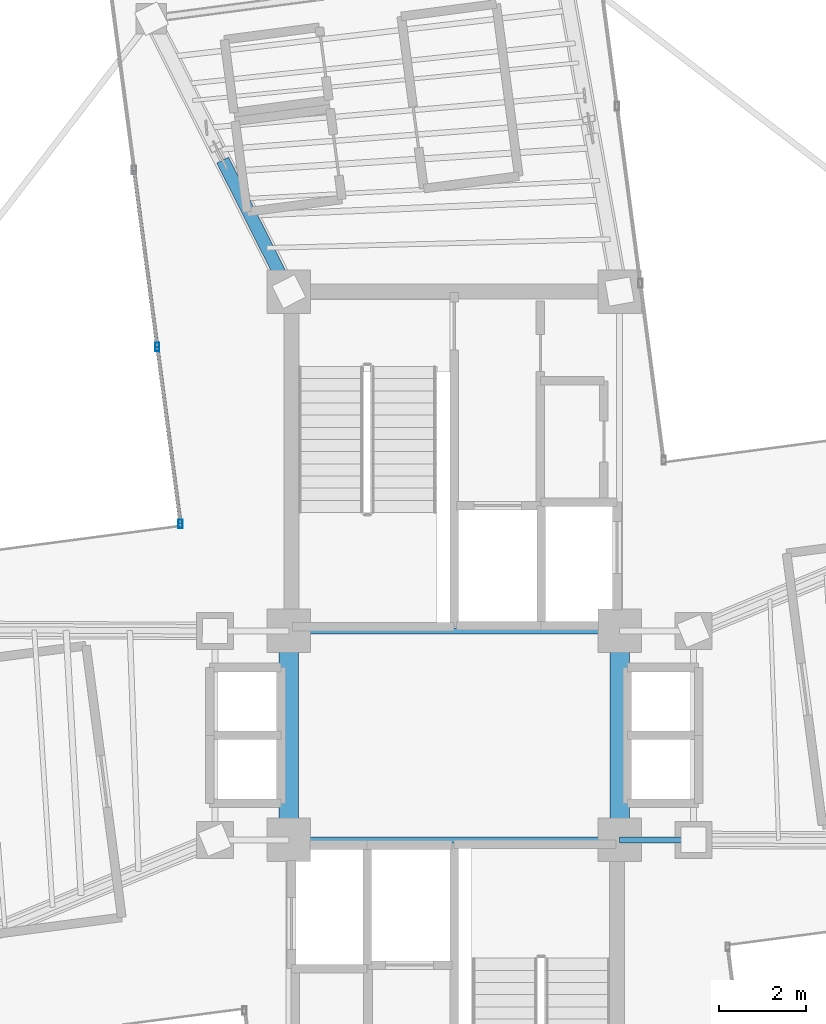
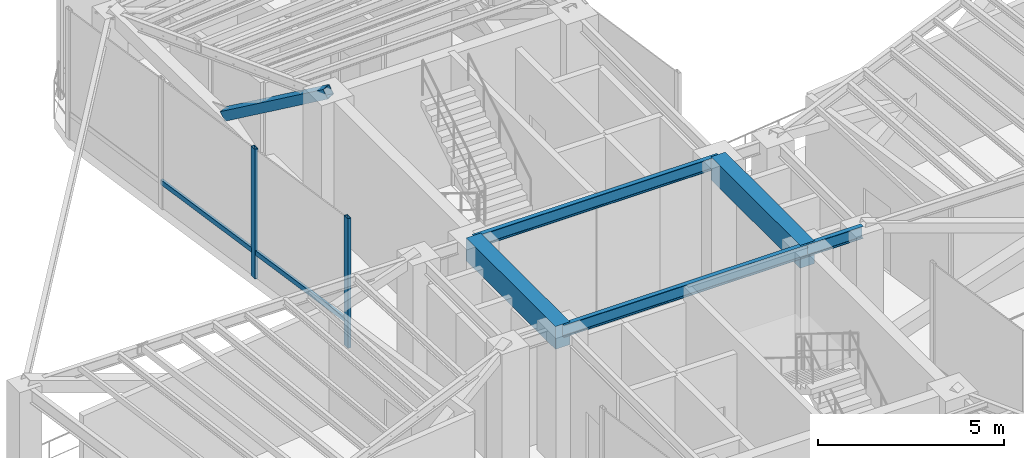
# One storey, part 5 of 17: 5 beams, 5 members, 1 element without a shape of its own.
"""IFC4 building model written with IfcOpenShell, lengths in metres."""

import ifcopenshell
import ifcopenshell.guid

model = None  # the IFC model being written
_history = None  # IfcOwnerHistory: only IFC2X3 demands one
_inside = {}  # id of a spatial element -> (the spatial element, [elements in it])
_under = {}  # id of a project, library or spatial element -> (it, [spatial elements below it])
_declared = {}  # id of a project -> (the project, [libraries it declares])
_typed = {}  # id of a type object -> (the type object, [elements of that type])
_made_of = {}  # id of a material, layer set ... -> (it, [elements and type objects made of it])


def new_model(schema):
    """Start an empty IFC model of exactly this schema.

    Asked for "IFC4X3", IfcOpenShell would pick the latest addendum, in which some entities
    have other attributes; the version numbers below select the first issue.
    IFC2X3 requires an IfcOwnerHistory on every rooted entity: one is made here for all.
    """
    global model, _history
    if schema == "IFC4X3":
        model = ifcopenshell.file(schema_version=(4, 3, 0, 0))
    else:
        model = ifcopenshell.file(schema=schema)
    _inside.clear()
    _under.clear()
    _declared.clear()
    _typed.clear()
    _made_of.clear()
    _history = None
    if model.schema == "IFC2X3":
        org = make("IfcOrganization", Name="unknown")
        user = make(
            "IfcPersonAndOrganization",
            ThePerson=make("IfcPerson", FamilyName="unknown"),
            TheOrganization=org,
        )
        app = make(
            "IfcApplication",
            ApplicationDeveloper=org,
            Version="unknown",
            ApplicationFullName="unknown",
            ApplicationIdentifier="unknown",
        )
        _history = make(
            "IfcOwnerHistory",
            OwningUser=user,
            OwningApplication=app,
            ChangeAction="ADDED",
            CreationDate=0,
        )
    return model


def make(cls, **values):
    """One entity of the class cls with the attributes given. An attribute that is None is left unset."""
    return model.create_entity(
        cls, **{name: value for name, value in values.items() if value is not None}
    )


def rooted(cls, **values):
    """An entity with a GlobalId (a new one), such as an element, a storey or a relation."""
    return make(cls, GlobalId=ifcopenshell.guid.new(), OwnerHistory=_history, **values)


def si_unit(unit_type, name, prefix=None):
    """IfcSIUnit, for example si_unit("LENGTHUNIT", "METRE", prefix="MILLI")."""
    return make("IfcSIUnit", UnitType=unit_type, Prefix=prefix, Name=name)


def assignment(units):
    """IfcUnitAssignment: the units of a project."""
    return None if units is None else make("IfcUnitAssignment", Units=units)


def point(xyz):
    """IfcCartesianPoint."""
    return None if xyz is None else make("IfcCartesianPoint", Coordinates=xyz)


def direction(xyz):
    """IfcDirection."""
    return None if xyz is None else make("IfcDirection", DirectionRatios=xyz)


def frame(location, z_axis=None, x_axis=None):
    """IfcAxis2Placement3D, a coordinate frame: its origin and axes. An axis left out is left unset."""
    return make(
        "IfcAxis2Placement3D",
        Location=point(location),
        Axis=direction(z_axis),
        RefDirection=direction(x_axis),
    )


def frame_2d(location, x_axis=None):
    """IfcAxis2Placement2D, a coordinate frame in the plane: its origin and x axis."""
    return make(
        "IfcAxis2Placement2D", Location=point(location), RefDirection=direction(x_axis)
    )


def origin():
    """The frame at (0, 0, 0) with its axes left unset."""
    return frame((0.0, 0.0, 0.0))


def origin_2d():
    """The frame at (0, 0) in the plane with its x axis left unset."""
    return frame_2d((0.0, 0.0))


def place(relative_to, where):
    """IfcLocalPlacement: puts the frame where relative to a parent placement (None: the world)."""
    return make(
        "IfcLocalPlacement", PlacementRelTo=relative_to, RelativePlacement=where
    )


def context(
    kind, dimensions, precision=None, world=None, true_north=None, identifier=None
):
    """IfcGeometricRepresentationContext, for example the 3D "Model" context."""
    return make(
        "IfcGeometricRepresentationContext",
        ContextIdentifier=identifier,
        ContextType=kind,
        CoordinateSpaceDimension=dimensions,
        Precision=precision,
        WorldCoordinateSystem=world,
        TrueNorth=true_north,
    )


def subcontext(parent, identifier, kind, view, scale=None):
    """IfcGeometricRepresentationSubContext, for example "Body" below "Model"."""
    return make(
        "IfcGeometricRepresentationSubContext",
        ContextIdentifier=identifier,
        ContextType=kind,
        ParentContext=parent,
        TargetScale=scale,
        TargetView=view,
    )


def project(units=None, contexts=None):
    """IfcProject with its units and contexts."""
    return rooted(
        "IfcProject",
        Name="project",
        RepresentationContexts=contexts,
        UnitsInContext=assignment(units),
    )


def spatial(cls, under=None, at=None, **own):
    """A site, building, storey or space (cls), placed at a placement, below another one or the project."""
    s = rooted(cls, ObjectPlacement=at, **own)
    if under is not None:
        _under.setdefault(under.id(), (under, []))[1].append(s)
    return s


def profile(cls, at=None, kind="AREA", **sizes):
    """A parametric profile (cls). Its sizes go by their IFC names, for example OverallWidth=200.0."""
    return make(cls, ProfileType=kind, Position=at, **sizes)


def rectangle(**sizes):
    """IfcRectangleProfileDef."""
    return profile("IfcRectangleProfileDef", **sizes)


def hollow_rectangle(**sizes):
    """IfcRectangleHollowProfileDef."""
    return profile("IfcRectangleHollowProfileDef", **sizes)


def i_section(**sizes):
    """IfcIShapeProfileDef."""
    return profile("IfcIShapeProfileDef", **sizes)


def extrude(swept, where, along, depth):
    """IfcExtrudedAreaSolid: the profile swept, set in the frame where, extruded along a direction by depth."""
    return make(
        "IfcExtrudedAreaSolid",
        SweptArea=swept,
        Position=where,
        ExtrudedDirection=direction(along),
        Depth=depth,
    )


def shape(context_of_items, identifier, shape_type, items):
    """IfcShapeRepresentation: the items that make up one representation, for example the "Body"."""
    return make(
        "IfcShapeRepresentation",
        ContextOfItems=context_of_items,
        RepresentationIdentifier=identifier,
        RepresentationType=shape_type,
        Items=items,
    )


def source(mapping_origin, context_of_items, identifier, shape_type, items):
    """IfcRepresentationMap: a shape defined once, which mapped items show again and again."""
    return make(
        "IfcRepresentationMap",
        MappingOrigin=mapping_origin,
        MappedRepresentation=shape(context_of_items, identifier, shape_type, items),
    )


def transform(
    local_origin,
    x_axis=None,
    y_axis=None,
    z_axis=None,
    scale=None,
    scale2=None,
    scale3=None,
    uniform=True,
):
    """IfcCartesianTransformationOperator3D, or its non-uniform kind. x_axis, y_axis, z_axis: its Axis1, 2, 3."""
    if uniform:
        return make(
            "IfcCartesianTransformationOperator3D",
            Axis1=direction(x_axis),
            Axis2=direction(y_axis),
            LocalOrigin=point(local_origin),
            Scale=scale,
            Axis3=direction(z_axis),
        )
    return make(
        "IfcCartesianTransformationOperator3DnonUniform",
        Axis1=direction(x_axis),
        Axis2=direction(y_axis),
        LocalOrigin=point(local_origin),
        Scale=scale,
        Axis3=direction(z_axis),
        Scale2=scale2,
        Scale3=scale3,
    )


def mapped(mapping_source, mapping_target):
    """IfcMappedItem: shows the shape of a source again, moved by a transform."""
    return make(
        "IfcMappedItem", MappingSource=mapping_source, MappingTarget=mapping_target
    )


def material(Name=None, Category=None):
    """IfcMaterial."""
    return make("IfcMaterial", Name=Name, Category=Category)


def material_profile(
    of_material, cross_section, Name=None, Category=None, Priority=None
):
    """IfcMaterialProfile: a cross section and its material."""
    return make(
        "IfcMaterialProfile",
        Name=Name,
        Material=of_material,
        Profile=cross_section,
        Priority=Priority,
        Category=Category,
    )


def profile_set(profiles, Name=None, composite=None):
    """IfcMaterialProfileSet."""
    return make(
        "IfcMaterialProfileSet",
        Name=Name,
        MaterialProfiles=profiles,
        CompositeProfile=composite,
    )


def made_of(thing, what):
    """Note that an element or type object is made of a material, layer set ...; save() writes the relation."""
    if what is not None:
        _made_of.setdefault(what.id(), (what, []))[1].append(thing)
    return thing


def type_object(cls, material=None, **own):
    """A type object (cls), such as IfcWallType, which elements share."""
    return made_of(rooted(cls, **own), material)


def element(
    cls,
    number,
    at=None,
    inside=None,
    cuts=None,
    type_object=None,
    material=None,
    context=None,
    identifier="Body",
    shape_type=None,
    held_by="IfcProductDefinitionShape",
    body=None,
    shapes=None,
    **own,
):
    """One element of the class cls, such as IfcWall. Its Tag is "e" and its number.

    at: its placement. inside: the storey or other place that contains it. cuts: it is an
    opening in that element (IfcRelVoidsElement). A single representation is given by context,
    identifier, shape_type and body (its items); several are given by shapes. held_by: the class
    of the entity that holds the representations. save() writes the other relations.
    """
    e = rooted(cls, Tag="e%d" % number, ObjectPlacement=at, **own)
    if body is not None:
        shapes = [shape(context, identifier, shape_type, body)]
    if shapes is not None:
        e.Representation = make(held_by, Representations=shapes)
    if inside is not None:
        _inside.setdefault(inside.id(), (inside, []))[1].append(e)
    if cuts is not None:
        rooted(
            "IfcRelVoidsElement", RelatingBuildingElement=cuts, RelatedOpeningElement=e
        )
    if type_object is not None:
        _typed.setdefault(type_object.id(), (type_object, []))[1].append(e)
    return made_of(e, material)


def aggregate(whole, parts):
    """IfcRelAggregates: a whole, such as a stair, and the parts it consists of."""
    return rooted("IfcRelAggregates", RelatingObject=whole, RelatedObjects=parts)


def save(model, path):
    """Write the relations noted so far, then the file.

    IfcRelAggregates (storeys below a building ...), IfcRelContainedInSpatialStructure (elements
    in a storey), IfcRelDefinesByType, IfcRelAssociatesMaterial and IfcRelDeclares: one each for
    every whole, place, type object, material and project.
    """
    for whole, parts in _under.values():
        aggregate(whole, parts)
    for where, things in _inside.values():
        rooted(
            "IfcRelContainedInSpatialStructure",
            RelatedElements=things,
            RelatingStructure=where,
        )
    for kind, things in _typed.values():
        rooted("IfcRelDefinesByType", RelatedObjects=things, RelatingType=kind)
    for what, things in _made_of.values():
        rooted("IfcRelAssociatesMaterial", RelatedObjects=things, RelatingMaterial=what)
    for by, libraries in _declared.values():
        rooted("IfcRelDeclares", RelatingContext=by, RelatedDefinitions=libraries)
    model.write(path)


model = new_model("IFC4")

# Units and contexts
model_context = context("Model", 3, precision=1e-05, world=origin(), true_north=direction((0.0, 1.0)))
body_context = subcontext(model_context, "Body", "Model", "MODEL_VIEW")
ifc_project = project(units=[si_unit("LENGTHUNIT", "METRE"), si_unit("AREAUNIT", "SQUARE_METRE"), si_unit("VOLUMEUNIT", "CUBIC_METRE"), si_unit("PLANEANGLEUNIT", "RADIAN"), si_unit("MASSUNIT", "GRAM", prefix="KILO")], contexts=[model_context])

# Site, building, storey
site_placement = place(None, origin())
site = spatial("IfcSite", under=ifc_project, at=site_placement, CompositionType="ELEMENT")
building_placement = place(site_placement, origin())
building = spatial("IfcBuilding", under=site, at=building_placement, Name="Sahyath Konkavel Grand Hotel", CompositionType="ELEMENT")
storey_placement = place(building_placement, frame((0.0, 0.0, 264.60009765625)))
storey = spatial("IfcBuildingStorey", under=building, at=storey_placement, Name="L74", CompositionType="ELEMENT", Elevation=264.60009765625)

# Beams
ifc_material_1 = material(Name="Steel E350", Category="steel")
ifc_material_profile_1 = material_profile(ifc_material_1, i_section(OverallWidth=0.139892578125, OverallDepth=0.39990234375, WebThickness=0.0087890625, FlangeThickness=0.01611328125, FilletRadius=0.013916015625, at=origin_2d()), Name="ISMB 400")
ifc_profile_set_1 = profile_set([ifc_material_profile_1], Name="Steel E350")
beam_type_1 = type_object("IfcBeamType", Name="BM-ISMB400", PredefinedType="BEAM", material=ifc_profile_set_1)
shared_shape_1 = source(origin(), body_context, "Body", "SweptSolid", [
    extrude(i_section(OverallWidth=0.139892578125, OverallDepth=0.39990234375, WebThickness=0.0087890625, FlangeThickness=0.01611328125, FilletRadius=0.013916015625, at=origin_2d()), origin(), (0.0, 0.0, 1.0), 7.60009765625),
])
for number, where, z_axis, x_axis, name in (
    (1, (-3.800048828125, 2.39990234375, 4.059814453125), (1.0, 0.0, 0.0), (0.0, 1.0, 0.0), "str:bm:L74:NC-S"),
    (2, (-3.800048828125, -2.39990234375, 4.059814453125), (1.0, 0.0, 0.0), (0.0, 1.0, 0.0), "str:bm:L74:SC-N"),
):
    element("IfcBeam", number, at=place(storey_placement, frame(where, z_axis=z_axis, x_axis=x_axis)), inside=storey, type_object=beam_type_1, Name=name, PredefinedType="BEAM", context=body_context, shape_type="MappedRepresentation", body=[
        mapped(shared_shape_1, transform((0.0, 0.0, 0.0), scale=1.0)),
    ])
shared_shape_2 = source(origin(), body_context, "Body", "SweptSolid", [
    extrude(i_section(OverallWidth=0.139892578125, OverallDepth=0.39990234375, WebThickness=0.0087890625, FlangeThickness=0.01611328125, FilletRadius=0.013916015625, at=origin_2d()), origin(), (0.0, 0.0, 1.0), 1.699951171875),
])
beam_placement = place(storey_placement, frame((3.800048828125, -2.39990234375, 4.059814453125), z_axis=(1.0, 0.0, 0.0), x_axis=(0.0, 1.0, 0.0)))
element("IfcBeam", 3, at=beam_placement, inside=storey, type_object=beam_type_1, Name="str:bm:L74:HB-SE", PredefinedType="BEAM", context=body_context, shape_type="MappedRepresentation", body=[
    mapped(shared_shape_2, transform((0.0, 0.0, 0.0), scale=1.0)),
])
ifc_material_2 = material(Name="Concrete C40/50", Category="concrete")
ifc_material_profile_2 = material_profile(ifc_material_2, rectangle(XDim=0.449951171875, YDim=0.75, at=origin_2d()), Name="RC 450x750")
ifc_profile_set_2 = profile_set([ifc_material_profile_2], Name="Concrete C40/50")
beam_type_2 = type_object("IfcBeamType", Name="BM-CB450x750", PredefinedType="LINTEL", material=ifc_profile_set_2)
shared_shape_3 = source(origin(), body_context, "Body", "SweptSolid", [
    extrude(rectangle(XDim=0.449951171875, YDim=0.75, at=origin_2d()), origin(), (0.0, 0.0, 1.0), 4.7998046875),
])
for number, where, z_axis, x_axis, name in (
    (4, (-3.800048828125, -2.39990234375, 3.885009765625), (0.0, 1.0, 0.0), (-1.0, 0.0, 0.0), "L74 Split-Core Coupling Beam West"),
    (5, (3.800048828125, -2.39990234375, 3.885009765625), (0.0, 1.0, 0.0), (-1.0, 0.0, 0.0), "L74 Split-Core Coupling Beam East"),
):
    element("IfcBeam", number, at=place(storey_placement, frame(where, z_axis=z_axis, x_axis=x_axis)), inside=storey, type_object=beam_type_2, Name=name, PredefinedType="LINTEL", context=body_context, shape_type="MappedRepresentation", body=[
        mapped(shared_shape_3, transform((0.0, 0.0, 0.0), scale=1.0)),
    ])

# Member
ifc_material_3 = material(Name="Steel E450", Category="steel")
ifc_material_profile_3 = material_profile(ifc_material_3, hollow_rectangle(XDim=0.300048828125, YDim=0.300048828125, WallThickness=0.01611328125, at=origin_2d()), Name="SHS 300x300x16")
ifc_profile_set_3 = profile_set([ifc_material_profile_3], Name="Steel E450")
member_type_1 = type_object("IfcMemberType", Name="BR-SHS300", PredefinedType="BRACE", material=ifc_profile_set_3)
shared_shape_4 = source(origin(), body_context, "Body", "SweptSolid", [
    extrude(hollow_rectangle(XDim=0.300048828125, YDim=0.300048828125, WallThickness=0.01611328125, at=origin_2d()), origin(), (0.0, 0.0, 1.0), 3.862060546875),
])
member_1_placement = place(storey_placement, frame((-5.287353515625, 13.15283203125, 2.25390625), z_axis=(0.385100589604, -0.764575120035, 0.516838874031), x_axis=(0.893108955182, 0.449840409671, 0.0)))
element("IfcMember", 6, at=member_1_placement, inside=storey, type_object=member_type_1, Name="L74 Core Outrigger Truss NB Split Upper Diagonal 2B", PredefinedType="BRACE", context=body_context, shape_type="MappedRepresentation", body=[
    mapped(shared_shape_4, transform((0.0, 0.0, 0.0), scale=1.0)),
])

# Curtain wall, members
ifc_material_4 = material(Name="Anodised Bronze Aluminium & Low-E Glazing", Category="aluminium")
curtain_wall_type = type_object("IfcCurtainWallType", Name="CW-SKYLOBBY", PredefinedType="NOTDEFINED", material=ifc_material_4)
curtain_wall_placement = place(storey_placement, origin())
curtain_wall = element("IfcCurtainWall", 7, at=curtain_wall_placement, inside=storey, type_object=curtain_wall_type, Name="L74 Unitised Curtain Wall RF15", PredefinedType="NOTDEFINED")
ifc_material_5 = material(Name="Anodised Bronze Aluminium", Category="aluminium")
ifc_material_profile_4 = material_profile(ifc_material_5, hollow_rectangle(XDim=0.10009765625, YDim=0.199951171875, WallThickness=0.008056640625, at=origin_2d()), Name="RHS 200x100x8")
ifc_profile_set_4 = profile_set([ifc_material_profile_4], Name="Anodised Bronze Aluminium")
member_type_2 = type_object("IfcMemberType", Name="CW-MUL-200", PredefinedType="MULLION", material=ifc_profile_set_4)
shared_shape_5 = source(origin(), body_context, "Body", "SweptSolid", [
    extrude(hollow_rectangle(XDim=0.10009765625, YDim=0.199951171875, WallThickness=0.008056640625, at=origin_2d()), origin(), (0.0, 0.0, 1.0), 4.260009765625),
])
member_2_placement = place(storey_placement, frame((-6.82373046875, 8.928955078125, 0.0), z_axis=(0.0, 0.0, 1.0), x_axis=(1.0, 0.0, 0.0)))
member_2 = element("IfcMember", 8, at=member_2_placement, type_object=member_type_2, Name="L74 Curtain Wall Mullion RF15-2", PredefinedType="MULLION", context=body_context, shape_type="MappedRepresentation", body=[
    mapped(shared_shape_5, transform((0.0, 0.0, 0.0), scale=1.0)),
])
member_3_placement = place(storey_placement, frame((-6.2880859375, 4.86083984375, 0.0), z_axis=(0.0, 0.0, 1.0), x_axis=(1.0, 0.0, 0.0)))
member_3 = element("IfcMember", 9, at=member_3_placement, type_object=member_type_2, Name="L74 Curtain Wall Mullion RF15-3", PredefinedType="MULLION", context=body_context, shape_type="MappedRepresentation", body=[
    mapped(shared_shape_5, transform((0.0, 0.0, 0.0), scale=1.0)),
])
ifc_material_profile_5 = material_profile(ifc_material_5, hollow_rectangle(XDim=0.080078125, YDim=0.159912109375, WallThickness=0.006103515625, at=origin_2d()), Name="RHS 160x80x6")
ifc_profile_set_5 = profile_set([ifc_material_profile_5], Name="Anodised Bronze Aluminium")
member_type_3 = type_object("IfcMemberType", Name="CW-TRN-160", PredefinedType="USERDEFINED", material=ifc_profile_set_5)
shared_shape_6 = source(origin(), body_context, "Body", "SweptSolid", [
    extrude(hollow_rectangle(XDim=0.080078125, YDim=0.159912109375, WallThickness=0.006103515625, at=origin_2d()), origin(), (0.0, 0.0, 1.0), 4.103271484375),
])
member_4_placement = place(storey_placement, frame((-6.82373046875, 8.928955078125, 0.849853515625), z_axis=(0.130542242661, -0.991442748161, 0.0), x_axis=(0.991442748161, 0.130542242661, 0.0)))
member_4 = element("IfcMember", 10, at=member_4_placement, type_object=member_type_3, Name="L74 Curtain Wall Transom RF15-2-spandrel", ObjectType="TRANSOM", PredefinedType="USERDEFINED", context=body_context, shape_type="MappedRepresentation", body=[
    mapped(shared_shape_6, transform((0.0, 0.0, 0.0), scale=1.0)),
])
shared_shape_7 = source(origin(), body_context, "Body", "SweptSolid", [
    extrude(hollow_rectangle(XDim=0.080078125, YDim=0.159912109375, WallThickness=0.006103515625, at=origin_2d()), origin(), (0.0, 0.0, 1.0), 4.103515625),
])
member_5_placement = place(storey_placement, frame((-7.359619140625, 12.997314453125, 0.849853515625), z_axis=(0.130593024052, -0.991436060505, 0.0), x_axis=(0.991436060505, 0.130593024052, 0.0)))
member_5 = element("IfcMember", 11, at=member_5_placement, type_object=member_type_3, Name="L74 Curtain Wall Transom RF15-1-spandrel", ObjectType="TRANSOM", PredefinedType="USERDEFINED", context=body_context, shape_type="MappedRepresentation", body=[
    mapped(shared_shape_7, transform((0.0, 0.0, 0.0), scale=1.0)),
])
aggregate(curtain_wall, [member_2, member_3, member_5, member_4])

save(model, "model.ifc")
